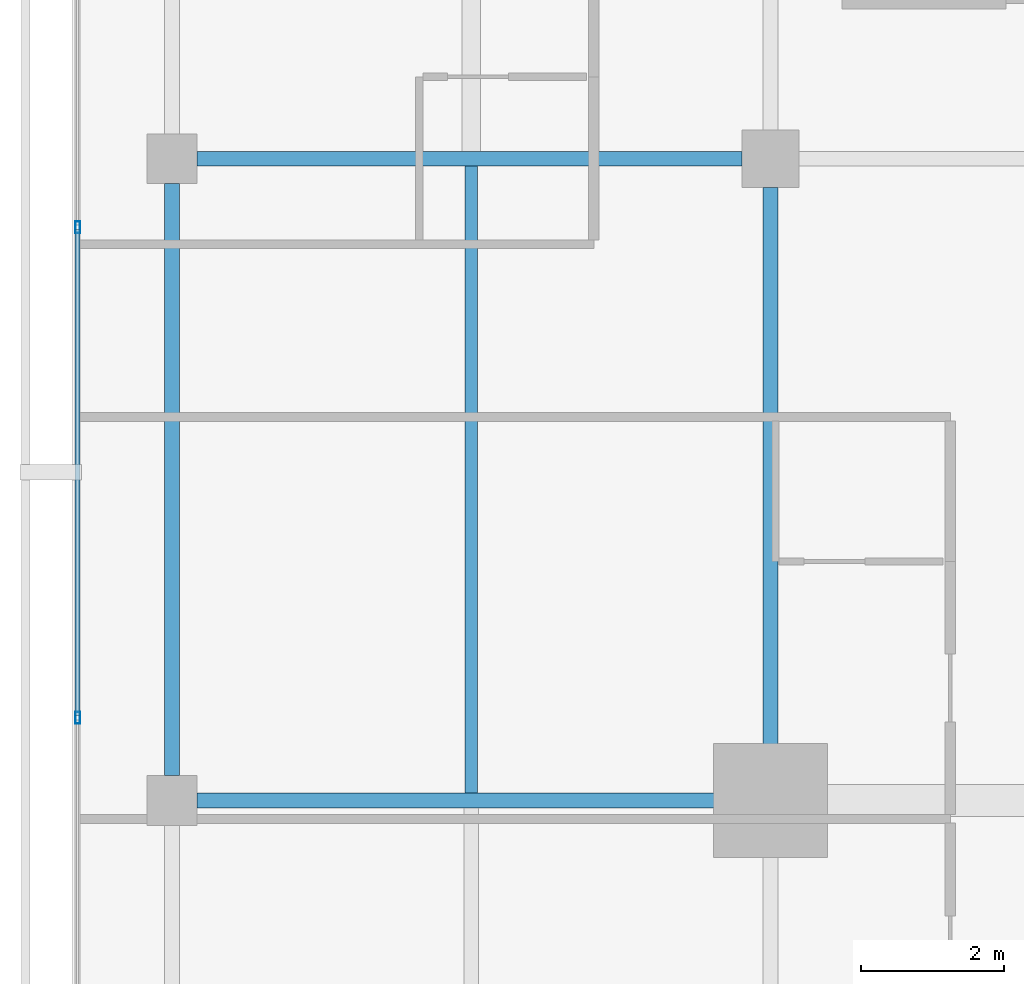
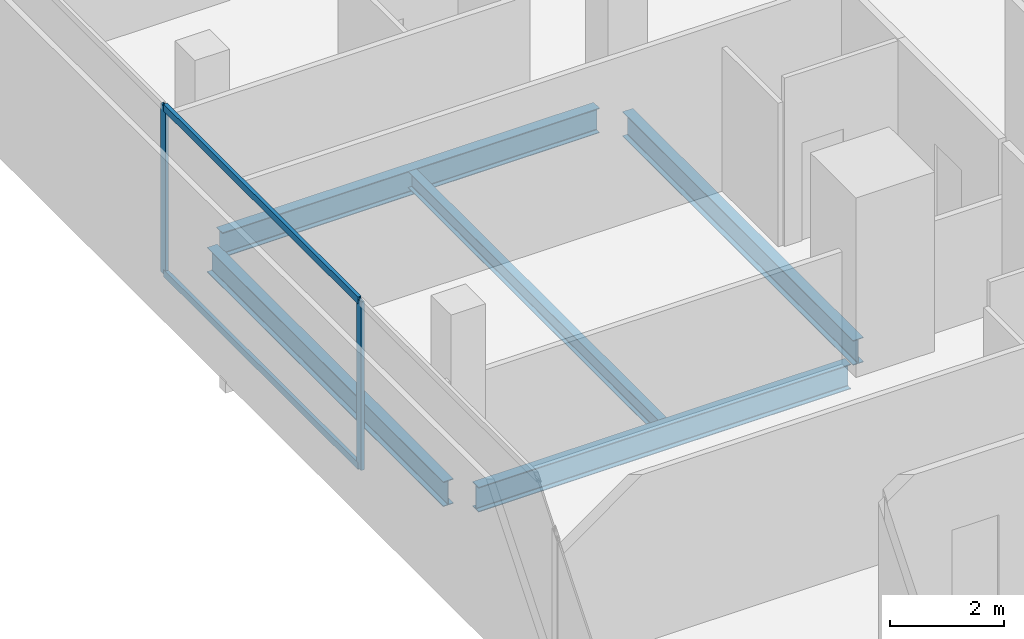
# One storey, part 8 of 25: 5 beams, 4 members, 1 element without a shape of its own.
"""IFC4 building model written with IfcOpenShell, lengths in metres."""

from ifc_helpers import new_model, si_unit, direction, frame, origin, origin_2d, place, context, subcontext, project, spatial, hollow_rectangle, i_section, extrude, material, layer, layer_set, material_profile, profile_set, type_object, element, aggregate, save


model = new_model("IFC4")

# Units and contexts
model_context = context("Model", 3, precision=1e-05, world=origin(), true_north=direction((0.0, 1.0)))
body_context = subcontext(model_context, "Body", "Model", "MODEL_VIEW")
ifc_project = project(units=[si_unit("LENGTHUNIT", "METRE"), si_unit("AREAUNIT", "SQUARE_METRE"), si_unit("VOLUMEUNIT", "CUBIC_METRE"), si_unit("PLANEANGLEUNIT", "RADIAN"), si_unit("MASSUNIT", "GRAM", prefix="KILO")], contexts=[model_context])

# Site, building, storey
site_placement = place(None, origin())
site = spatial("IfcSite", under=ifc_project, at=site_placement, CompositionType="ELEMENT")
building_placement = place(site_placement, origin())
building = spatial("IfcBuilding", under=site, at=building_placement, Name="Maruvema Waterfront Hotel and Observation Tower", CompositionType="ELEMENT")
storey_placement = place(building_placement, frame((0.0, 0.0, 247.10009765625)))
storey = spatial("IfcBuildingStorey", under=building, at=storey_placement, Name="L60", CompositionType="ELEMENT", Elevation=247.10009765625)

# Curtain wall, members
ifc_material_1 = material(Name="Anodised bronze aluminium and solar-control low-E IGU", Category="aluminium")
ifc_layer = layer(ifc_material_1, 0.159912109375, Name="Zone 3 Champagne Inner Thermal Curtain Wall System CW-04")
ifc_layer_set = layer_set([ifc_layer], Name="Anodised bronze aluminium and solar-control low-E IGU")
curtain_wall_type = type_object("IfcCurtainWallType", Name="Zone 3 Champagne Inner Thermal Curtain Wall System CW-04", PredefinedType="USERDEFINED", material=ifc_layer_set)
curtain_wall_placement = place(storey_placement, origin())
curtain_wall = element("IfcCurtainWall", 1, at=curtain_wall_placement, inside=storey, type_object=curtain_wall_type, Name="L60 Curtain Wall CW-L60-W", ObjectType="UNITISED CURTAIN WALL", PredefinedType="USERDEFINED")
ifc_material_2 = material(Name="Anodised architectural bronze aluminium", Category="aluminium")
ifc_material_profile_1 = material_profile(ifc_material_2, hollow_rectangle(XDim=0.070068359375, YDim=0.14990234375, WallThickness=0.00390625, at=origin_2d()), Name="ALU-T70x150")
ifc_profile_set_1 = profile_set([ifc_material_profile_1], Name="Anodised architectural bronze aluminium")
member_type_1 = type_object("IfcMemberType", Name="Curtain Wall Horizontal Transom ALU-T70x150", PredefinedType="USERDEFINED", material=ifc_profile_set_1)
member_1_placement = place(storey_placement, frame((15.47998046875, 35.010009765625, 0.02978515625), z_axis=(0.0, -1.0, 0.0), x_axis=(1.0, 0.0, 0.0)))
member_1 = element("IfcMember", 2, at=member_1_placement, type_object=member_type_1, Name="CW-04 transom 3.1", ObjectType="TRANSOM", PredefinedType="USERDEFINED", context=body_context, shape_type="SweptSolid", body=[
    extrude(hollow_rectangle(XDim=0.070068359375, YDim=0.14990234375, WallThickness=0.00390625, at=origin_2d()), origin(), (0.0, 0.0, 1.0), 6.820068359375),
])
member_2_placement = place(storey_placement, frame((15.47998046875, 35.010009765625, 3.579833984375), z_axis=(0.0, -1.0, 0.0), x_axis=(1.0, 0.0, 0.0)))
member_2 = element("IfcMember", 3, at=member_2_placement, type_object=member_type_1, Name="CW-04 transom 3.2", ObjectType="TRANSOM", PredefinedType="USERDEFINED", context=body_context, shape_type="SweptSolid", body=[
    extrude(hollow_rectangle(XDim=0.070068359375, YDim=0.14990234375, WallThickness=0.00390625, at=origin_2d()), origin(), (0.0, 0.0, 1.0), 6.820068359375),
])
ifc_material_3 = material(Name="Anodised architectural bronze aluminium", Category="aluminium")
ifc_material_profile_2 = material_profile(ifc_material_3, hollow_rectangle(XDim=0.06494140625, YDim=0.1650390625, WallThickness=0.00390625, at=origin_2d()), Name="ALU-M65x165")
ifc_profile_set_2 = profile_set([ifc_material_profile_2], Name="Anodised architectural bronze aluminium")
member_type_2 = type_object("IfcMemberType", Name="Curtain Wall Primary Mullion ALU-M65x165", PredefinedType="MULLION", material=ifc_profile_set_2)
member_3_placement = place(storey_placement, frame((15.47998046875, 35.0400390625, 0.0), z_axis=(0.0, 0.0, 1.0), x_axis=(1.0, 0.0, 0.0)))
member_3 = element("IfcMember", 4, at=member_3_placement, type_object=member_type_2, Name="CW-04 mullion 3", PredefinedType="MULLION", context=body_context, shape_type="SweptSolid", body=[
    extrude(hollow_rectangle(XDim=0.06494140625, YDim=0.1650390625, WallThickness=0.00390625, at=origin_2d()), origin(), (0.0, 0.0, 1.0), 3.60986328125),
])
member_4_placement = place(storey_placement, frame((15.47998046875, 28.159912109375, 0.0), z_axis=(0.0, 0.0, 1.0), x_axis=(1.0, 0.0, 0.0)))
member_4 = element("IfcMember", 5, at=member_4_placement, type_object=member_type_2, Name="CW-04 mullion 4", PredefinedType="MULLION", context=body_context, shape_type="SweptSolid", body=[
    extrude(hollow_rectangle(XDim=0.06494140625, YDim=0.1650390625, WallThickness=0.00390625, at=origin_2d()), origin(), (0.0, 0.0, 1.0), 3.60986328125),
])
aggregate(curtain_wall, [member_3, member_4, member_1, member_2])

# Beams
ifc_material_4 = material(Name="Steel ASTM A572 Grade 50", Category="steel")
ifc_material_profile_3 = material_profile(ifc_material_4, i_section(OverallWidth=0.208984375, OverallDepth=0.532958984375, WebThickness=0.01025390625, FlangeThickness=0.015625, FilletRadius=0.014892578125, at=origin_2d()), Name="W530x92.0")
ifc_profile_set_3 = profile_set([ifc_material_profile_3], Name="Steel ASTM A572 Grade 50")
beam_type_1 = type_object("IfcBeamType", Name="Primary Floor Girder W530x92.0", PredefinedType="BEAM", material=ifc_profile_set_3)
beam_1_placement = place(storey_placement, frame((17.14990234375, 27.0, -0.506591796875), z_axis=(1.0, 0.0, 0.0), x_axis=(0.0, 1.0, 0.0)))
element("IfcBeam", 6, at=beam_1_placement, inside=storey, type_object=beam_type_1, Name="L60 Floor Girder EW-09", PredefinedType="BEAM", context=body_context, shape_type="SweptSolid", body=[
    extrude(i_section(OverallWidth=0.208984375, OverallDepth=0.532958984375, WebThickness=0.01025390625, FlangeThickness=0.015625, FilletRadius=0.014892578125, at=origin_2d()), origin(), (0.0, 0.0, 1.0), 7.550048828125),
])
beam_2_placement = place(storey_placement, frame((17.14990234375, 36.0, -0.506591796875), z_axis=(1.0, 0.0, 0.0), x_axis=(0.0, 1.0, 0.0)))
element("IfcBeam", 7, at=beam_2_placement, inside=storey, type_object=beam_type_1, Name="L60 Floor Girder EW-12", PredefinedType="BEAM", context=body_context, shape_type="SweptSolid", body=[
    extrude(i_section(OverallWidth=0.208984375, OverallDepth=0.532958984375, WebThickness=0.01025390625, FlangeThickness=0.015625, FilletRadius=0.014892578125, at=origin_2d()), origin(), (0.0, 0.0, 1.0), 7.650146484375),
])
beam_3_placement = place(storey_placement, frame((16.800048828125, 27.35009765625, -0.506591796875), z_axis=(0.0, 1.0, 0.0), x_axis=(-1.0, 0.0, 0.0)))
element("IfcBeam", 8, at=beam_3_placement, inside=storey, type_object=beam_type_1, Name="L60 Floor Girder NS-02", PredefinedType="BEAM", context=body_context, shape_type="SweptSolid", body=[
    extrude(i_section(OverallWidth=0.208984375, OverallDepth=0.532958984375, WebThickness=0.01025390625, FlangeThickness=0.015625, FilletRadius=0.014892578125, at=origin_2d()), origin(), (0.0, 0.0, 1.0), 8.2998046875),
])
beam_4_placement = place(storey_placement, frame((25.199951171875, 27.5, -0.506591796875), z_axis=(0.0, 1.0, 0.0), x_axis=(-1.0, 0.0, 0.0)))
element("IfcBeam", 9, at=beam_4_placement, inside=storey, type_object=beam_type_1, Name="L60 Floor Girder NS-06", PredefinedType="BEAM", context=body_context, shape_type="SweptSolid", body=[
    extrude(i_section(OverallWidth=0.208984375, OverallDepth=0.532958984375, WebThickness=0.01025390625, FlangeThickness=0.015625, FilletRadius=0.014892578125, at=origin_2d()), origin(), (0.0, 0.0, 1.0), 8.10009765625),
])
ifc_material_5 = material(Name="Steel ASTM A572 Grade 50", Category="steel")
ifc_material_profile_4 = material_profile(ifc_material_5, i_section(OverallWidth=0.1708984375, OverallDepth=0.35498046875, WebThickness=0.007080078125, FlangeThickness=0.01171875, FilletRadius=0.014892578125, at=origin_2d()), Name="W360x51.0")
ifc_profile_set_4 = profile_set([ifc_material_profile_4], Name="Steel ASTM A572 Grade 50")
beam_type_2 = type_object("IfcBeamType", Name="Secondary Floor Joist W360x51.0", PredefinedType="JOIST", material=ifc_profile_set_4)
beam_5_placement = place(storey_placement, frame((21.0, 27.1044921875, -0.41748046875), z_axis=(0.0, 1.0, 0.0), x_axis=(-1.0, 0.0, 0.0)))
element("IfcBeam", 10, at=beam_5_placement, inside=storey, type_object=beam_type_2, Name="L60 Secondary Floor Joist JS-02", PredefinedType="JOIST", context=body_context, shape_type="SweptSolid", body=[
    extrude(i_section(OverallWidth=0.1708984375, OverallDepth=0.35498046875, WebThickness=0.007080078125, FlangeThickness=0.01171875, FilletRadius=0.014892578125, at=origin_2d()), origin(), (0.0, 0.0, 1.0), 8.791015625),
])

save(model, "model.ifc")
